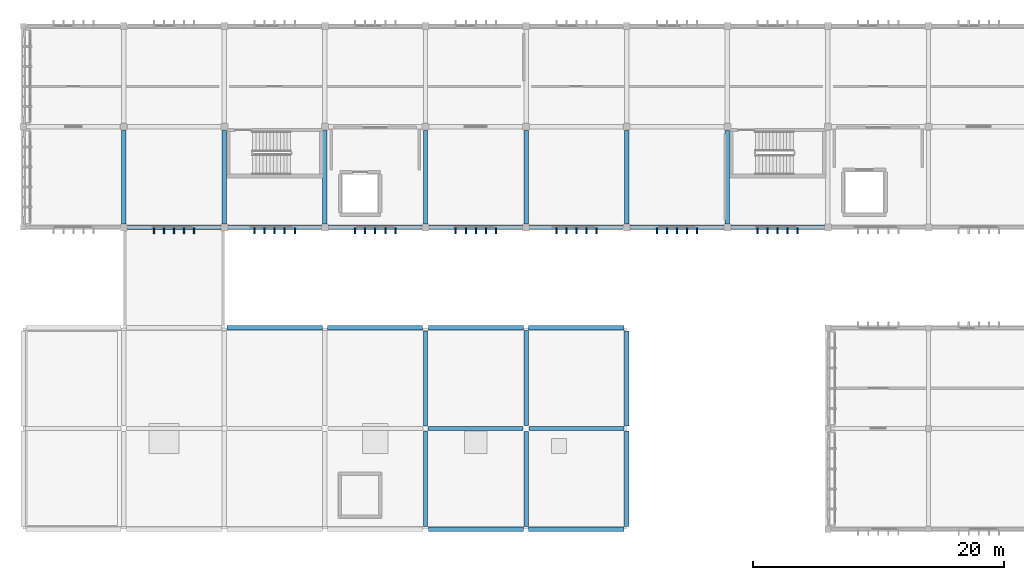
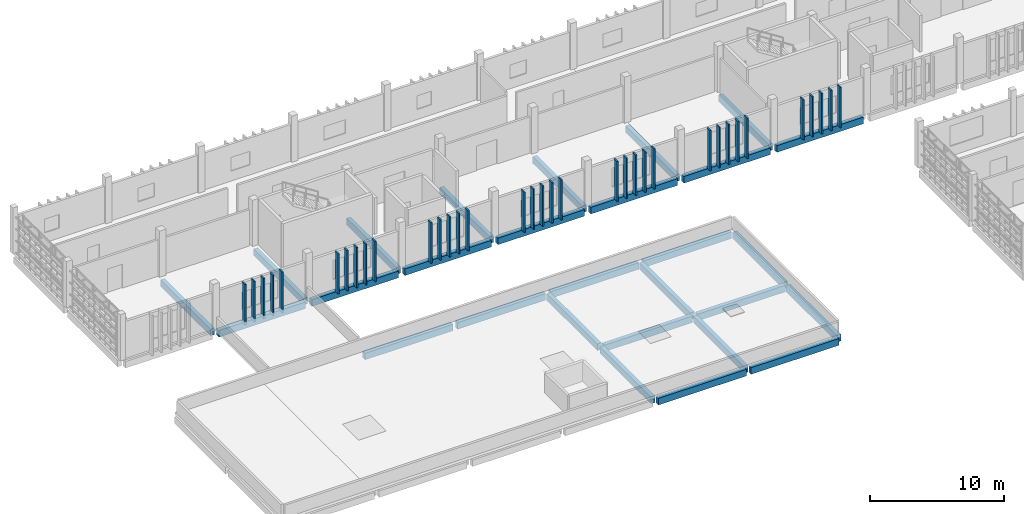
# One storey, part 3 of 32: 35 members, 28 beams.
"""IFC4 building model written with IfcOpenShell, lengths in metres."""

from ifc_helpers import new_model, si_unit, direction, frame, origin, origin_2d, place, context, subcontext, project, spatial, rectangle, extrude, material, material_profile, profile_set, type_object, element, save


model = new_model("IFC4")

# Units and contexts
model_context = context("Model", 3, precision=1e-05, world=origin(), true_north=direction((0.0, 1.0)))
body_context = subcontext(model_context, "Body", "Model", "MODEL_VIEW")
ifc_project = project(units=[si_unit("LENGTHUNIT", "METRE"), si_unit("AREAUNIT", "SQUARE_METRE"), si_unit("VOLUMEUNIT", "CUBIC_METRE"), si_unit("PLANEANGLEUNIT", "RADIAN"), si_unit("MASSUNIT", "GRAM", prefix="KILO")], contexts=[model_context])

# Site, building, storey
site_placement = place(None, origin())
site = spatial("IfcSite", under=ifc_project, at=site_placement, CompositionType="ELEMENT")
building_placement = place(site_placement, origin())
building = spatial("IfcBuilding", under=site, at=building_placement, Name="Jelvoka-Kovrelna Polytechnic", CompositionType="ELEMENT")
storey_placement = place(building_placement, frame((0.0, 0.0, 26.39990234375)))
storey = spatial("IfcBuildingStorey", under=building, at=storey_placement, Name="L07", CompositionType="ELEMENT", Elevation=26.39990234375)

# Beams
ifc_material_1 = material(Name="Concrete C35/45", Category="concrete")
ifc_material_profile_1 = material_profile(ifc_material_1, rectangle(XDim=0.35009765625, YDim=0.60009765625, at=origin_2d()), Name="RC 350x600")
ifc_profile_set_1 = profile_set([ifc_material_profile_1], Name="Concrete C35/45")
beam_type_1 = type_object("IfcBeamType", Name="Beam_RC_350x600", PredefinedType="BEAM", material=ifc_profile_set_1)
for number, where, z_axis, x_axis, name in (
    (1, (72.0, 56.280029296875, -0.539794921875), (0.0, 1.0, 0.0), (-1.0, 0.0, 0.0), "L07 beam 1846"),
    (2, (80.0, 56.280029296875, -0.539794921875), (0.0, 1.0, 0.0), (-1.0, 0.0, 0.0), "L07 beam 1848"),
    (3, (88.0, 56.280029296875, -0.539794921875), (0.0, 1.0, 0.0), (-1.0, 0.0, 0.0), "L07 beam 1850"),
    (4, (96.0, 56.280029296875, -0.539794921875), (0.0, 1.0, 0.0), (-1.0, 0.0, 0.0), "L07 beam 1852"),
    (5, (104.0, 56.280029296875, -0.539794921875), (0.0, 1.0, 0.0), (-1.0, 0.0, 0.0), "L07 beam 1854"),
    (6, (112.0, 56.280029296875, -0.539794921875), (0.0, 1.0, 0.0), (-1.0, 0.0, 0.0), "L07 beam 1856"),
    (7, (120.0, 56.280029296875, -0.539794921875), (0.0, 1.0, 0.0), (-1.0, 0.0, 0.0), "L07 beam 1883"),
):
    element("IfcBeam", number, at=place(storey_placement, frame(where, z_axis=z_axis, x_axis=x_axis)), inside=storey, type_object=beam_type_1, Name=name, PredefinedType="BEAM", context=body_context, shape_type="SweptSolid", body=[
        extrude(rectangle(XDim=0.35009765625, YDim=0.60009765625, at=origin_2d()), origin(), (0.0, 0.0, 1.0), 7.43994140625),
    ])
for number, where, z_axis, x_axis, name in (
    (8, (96.205078125, 40.0, -0.539794921875), (1.0, 0.0, 0.0), (0.0, 1.0, 0.0), "L07 beam 2186"),
    (9, (104.22998046875, 40.0, -0.539794921875), (1.0, 0.0, 0.0), (0.0, 1.0, 0.0), "L07 beam 2187"),
    (10, (96.0, 32.22998046875, -0.539794921875), (0.0, 1.0, 0.0), (-1.0, 0.0, 0.0), "L07 beam 2202"),
    (11, (96.0, 40.205078125, -0.539794921875), (0.0, 1.0, 0.0), (-1.0, 0.0, 0.0), "L07 beam 2203"),
    (12, (104.0, 32.205078125, -0.539794921875), (0.0, 1.0, 0.0), (-1.0, 0.0, 0.0), "L07 beam 2204"),
    (13, (104.0, 40.22998046875, -0.539794921875), (0.0, 1.0, 0.0), (-1.0, 0.0, 0.0), "L07 beam 2205"),
    (14, (112.0, 32.22998046875, -0.539794921875), (0.0, 1.0, 0.0), (-1.0, 0.0, 0.0), "L07 beam 2206"),
    (15, (112.0, 40.205078125, -0.539794921875), (0.0, 1.0, 0.0), (-1.0, 0.0, 0.0), "L07 beam 2207"),
):
    element("IfcBeam", number, at=place(storey_placement, frame(where, z_axis=z_axis, x_axis=x_axis)), inside=storey, type_object=beam_type_1, Name=name, PredefinedType="BEAM", context=body_context, shape_type="SweptSolid", body=[
        extrude(rectangle(XDim=0.35009765625, YDim=0.60009765625, at=origin_2d()), origin(), (0.0, 0.0, 1.0), 7.56494140625),
    ])

# Members
ifc_material_2 = material(Name="Precast concrete C40/50", Category="concrete")
ifc_material_profile_2 = material_profile(ifc_material_2, rectangle(XDim=0.1201171875, YDim=0.449951171875, at=origin_2d()), Name="PC 120x450")
ifc_profile_set_2 = profile_set([ifc_material_profile_2], Name="Precast concrete C40/50")
member_type = type_object("IfcMemberType", Name="Louvre_Fin_120x450", PredefinedType="USERDEFINED", material=ifc_profile_set_2)
for number, where, z_axis, x_axis, name in (
    (16, (74.39990234375, 55.735107421875, -0.27001953125), (0.0, 0.0, 1.0), (1.0, 0.0, 0.0), "L07 B3 south vertical solar louvre fin 2091"),
    (17, (75.199951171875, 55.735107421875, -0.27001953125), (0.0, 0.0, 1.0), (1.0, 0.0, 0.0), "L07 B3 south vertical solar louvre fin 2092"),
    (18, (76.0, 55.735107421875, -0.27001953125), (0.0, 0.0, 1.0), (1.0, 0.0, 0.0), "L07 B3 south vertical solar louvre fin 2093"),
    (19, (76.800048828125, 55.735107421875, -0.27001953125), (0.0, 0.0, 1.0), (1.0, 0.0, 0.0), "L07 B3 south vertical solar louvre fin 2094"),
    (20, (77.60009765625, 55.735107421875, -0.27001953125), (0.0, 0.0, 1.0), (1.0, 0.0, 0.0), "L07 B3 south vertical solar louvre fin 2095"),
    (21, (82.39990234375, 55.735107421875, -0.27001953125), (0.0, 0.0, 1.0), (1.0, 0.0, 0.0), "L07 B3 south vertical solar louvre fin 2101"),
    (22, (83.199951171875, 55.735107421875, -0.27001953125), (0.0, 0.0, 1.0), (1.0, 0.0, 0.0), "L07 B3 south vertical solar louvre fin 2102"),
    (23, (84.0, 55.735107421875, -0.27001953125), (0.0, 0.0, 1.0), (1.0, 0.0, 0.0), "L07 B3 south vertical solar louvre fin 2103"),
    (24, (84.800048828125, 55.735107421875, -0.27001953125), (0.0, 0.0, 1.0), (1.0, 0.0, 0.0), "L07 B3 south vertical solar louvre fin 2104"),
    (25, (85.60009765625, 55.735107421875, -0.27001953125), (0.0, 0.0, 1.0), (1.0, 0.0, 0.0), "L07 B3 south vertical solar louvre fin 2105"),
    (26, (90.39990234375, 55.735107421875, -0.27001953125), (0.0, 0.0, 1.0), (1.0, 0.0, 0.0), "L07 B3 south vertical solar louvre fin 2111"),
    (27, (91.199951171875, 55.735107421875, -0.27001953125), (0.0, 0.0, 1.0), (1.0, 0.0, 0.0), "L07 B3 south vertical solar louvre fin 2112"),
    (28, (92.0, 55.735107421875, -0.27001953125), (0.0, 0.0, 1.0), (1.0, 0.0, 0.0), "L07 B3 south vertical solar louvre fin 2113"),
    (29, (92.800048828125, 55.735107421875, -0.27001953125), (0.0, 0.0, 1.0), (1.0, 0.0, 0.0), "L07 B3 south vertical solar louvre fin 2114"),
    (30, (93.60009765625, 55.735107421875, -0.27001953125), (0.0, 0.0, 1.0), (1.0, 0.0, 0.0), "L07 B3 south vertical solar louvre fin 2115"),
    (31, (98.39990234375, 55.735107421875, -0.27001953125), (0.0, 0.0, 1.0), (1.0, 0.0, 0.0), "L07 B3 south vertical solar louvre fin 2121"),
    (32, (99.199951171875, 55.735107421875, -0.27001953125), (0.0, 0.0, 1.0), (1.0, 0.0, 0.0), "L07 B3 south vertical solar louvre fin 2122"),
    (33, (100.0, 55.735107421875, -0.27001953125), (0.0, 0.0, 1.0), (1.0, 0.0, 0.0), "L07 B3 south vertical solar louvre fin 2123"),
    (34, (100.800048828125, 55.735107421875, -0.27001953125), (0.0, 0.0, 1.0), (1.0, 0.0, 0.0), "L07 B3 south vertical solar louvre fin 2124"),
    (35, (101.60009765625, 55.735107421875, -0.27001953125), (0.0, 0.0, 1.0), (1.0, 0.0, 0.0), "L07 B3 south vertical solar louvre fin 2125"),
    (36, (106.39990234375, 55.735107421875, -0.27001953125), (0.0, 0.0, 1.0), (1.0, 0.0, 0.0), "L07 B3 south vertical solar louvre fin 2131"),
    (37, (107.199951171875, 55.735107421875, -0.27001953125), (0.0, 0.0, 1.0), (1.0, 0.0, 0.0), "L07 B3 south vertical solar louvre fin 2132"),
    (38, (108.0, 55.735107421875, -0.27001953125), (0.0, 0.0, 1.0), (1.0, 0.0, 0.0), "L07 B3 south vertical solar louvre fin 2133"),
    (39, (108.800048828125, 55.735107421875, -0.27001953125), (0.0, 0.0, 1.0), (1.0, 0.0, 0.0), "L07 B3 south vertical solar louvre fin 2134"),
    (40, (109.60009765625, 55.735107421875, -0.27001953125), (0.0, 0.0, 1.0), (1.0, 0.0, 0.0), "L07 B3 south vertical solar louvre fin 2135"),
    (41, (114.39990234375, 55.735107421875, -0.27001953125), (0.0, 0.0, 1.0), (1.0, 0.0, 0.0), "L07 B3 south vertical solar louvre fin 2141"),
    (42, (115.199951171875, 55.735107421875, -0.27001953125), (0.0, 0.0, 1.0), (1.0, 0.0, 0.0), "L07 B3 south vertical solar louvre fin 2142"),
    (43, (116.0, 55.735107421875, -0.27001953125), (0.0, 0.0, 1.0), (1.0, 0.0, 0.0), "L07 B3 south vertical solar louvre fin 2143"),
    (44, (116.800048828125, 55.735107421875, -0.27001953125), (0.0, 0.0, 1.0), (1.0, 0.0, 0.0), "L07 B3 south vertical solar louvre fin 2144"),
    (45, (117.60009765625, 55.735107421875, -0.27001953125), (0.0, 0.0, 1.0), (1.0, 0.0, 0.0), "L07 B3 south vertical solar louvre fin 2145"),
    (46, (122.39990234375, 55.735107421875, -0.27001953125), (0.0, 0.0, 1.0), (1.0, 0.0, 0.0), "L07 B3 south vertical solar louvre fin 2151"),
    (47, (123.199951171875, 55.735107421875, -0.27001953125), (0.0, 0.0, 1.0), (1.0, 0.0, 0.0), "L07 B3 south vertical solar louvre fin 2152"),
    (48, (124.0, 55.735107421875, -0.27001953125), (0.0, 0.0, 1.0), (1.0, 0.0, 0.0), "L07 B3 south vertical solar louvre fin 2153"),
    (49, (124.800048828125, 55.735107421875, -0.27001953125), (0.0, 0.0, 1.0), (1.0, 0.0, 0.0), "L07 B3 south vertical solar louvre fin 2154"),
    (50, (125.60009765625, 55.735107421875, -0.27001953125), (0.0, 0.0, 1.0), (1.0, 0.0, 0.0), "L07 B3 south vertical solar louvre fin 2155"),
):
    element("IfcMember", number, at=place(storey_placement, frame(where, z_axis=z_axis, x_axis=x_axis)), inside=storey, type_object=member_type, Name=name, ObjectType="SUNSHADE", PredefinedType="USERDEFINED", context=body_context, shape_type="SweptSolid", body=[
        extrude(rectangle(XDim=0.1201171875, YDim=0.449951171875, at=origin_2d()), origin(), (0.0, 0.0, 1.0), 3.670166015625),
    ])

# Beams
ifc_material_3 = material(Name="Concrete C40/50", Category="concrete")
ifc_material_profile_3 = material_profile(ifc_material_3, rectangle(XDim=0.35009765625, YDim=0.60009765625, at=origin_2d()), Name="RC 350x600")
ifc_profile_set_3 = profile_set([ifc_material_profile_3], Name="Concrete C40/50")
beam_type_2 = type_object("IfcBeamType", Name="Spandrel_RC_350x600", PredefinedType="SPANDREL", material=ifc_profile_set_3)
for number, where, z_axis, x_axis, name in (
    (51, (72.280029296875, 56.0, -0.539794921875), (1.0, 0.0, 0.0), (0.0, 1.0, 0.0), "L07 beam 1828"),
    (52, (80.280029296875, 56.0, -0.539794921875), (1.0, 0.0, 0.0), (0.0, 1.0, 0.0), "L07 beam 1829"),
    (53, (88.280029296875, 56.0, -0.539794921875), (1.0, 0.0, 0.0), (0.0, 1.0, 0.0), "L07 beam 1830"),
    (54, (96.280029296875, 56.0, -0.539794921875), (1.0, 0.0, 0.0), (0.0, 1.0, 0.0), "L07 beam 1831"),
    (55, (104.280029296875, 56.0, -0.539794921875), (1.0, 0.0, 0.0), (0.0, 1.0, 0.0), "L07 beam 1832"),
    (56, (112.280029296875, 56.0, -0.539794921875), (1.0, 0.0, 0.0), (0.0, 1.0, 0.0), "L07 beam 1858"),
    (57, (120.280029296875, 56.0, -0.539794921875), (1.0, 0.0, 0.0), (0.0, 1.0, 0.0), "L07 beam 1859"),
):
    element("IfcBeam", number, at=place(storey_placement, frame(where, z_axis=z_axis, x_axis=x_axis)), inside=storey, type_object=beam_type_2, Name=name, PredefinedType="SPANDREL", context=body_context, shape_type="SweptSolid", body=[
        extrude(rectangle(XDim=0.35009765625, YDim=0.60009765625, at=origin_2d()), origin(), (0.0, 0.0, 1.0), 7.43994140625),
    ])
for number, where, z_axis, x_axis, name in (
    (58, (96.22998046875, 32.0, -0.539794921875), (1.0, 0.0, 0.0), (0.0, 1.0, 0.0), "L07 beam 2180"),
    (59, (104.205078125, 32.0, -0.539794921875), (1.0, 0.0, 0.0), (0.0, 1.0, 0.0), "L07 beam 2181"),
    (60, (80.22998046875, 48.0, -0.539794921875), (1.0, 0.0, 0.0), (0.0, 1.0, 0.0), "L07 beam 2190"),
    (61, (88.205078125, 48.0, -0.539794921875), (1.0, 0.0, 0.0), (0.0, 1.0, 0.0), "L07 beam 2191"),
    (62, (96.22998046875, 48.0, -0.539794921875), (1.0, 0.0, 0.0), (0.0, 1.0, 0.0), "L07 beam 2192"),
    (63, (104.205078125, 48.0, -0.539794921875), (1.0, 0.0, 0.0), (0.0, 1.0, 0.0), "L07 beam 2193"),
):
    element("IfcBeam", number, at=place(storey_placement, frame(where, z_axis=z_axis, x_axis=x_axis)), inside=storey, type_object=beam_type_2, Name=name, PredefinedType="SPANDREL", context=body_context, shape_type="SweptSolid", body=[
        extrude(rectangle(XDim=0.35009765625, YDim=0.60009765625, at=origin_2d()), origin(), (0.0, 0.0, 1.0), 7.56494140625),
    ])

save(model, "model.ifc")
